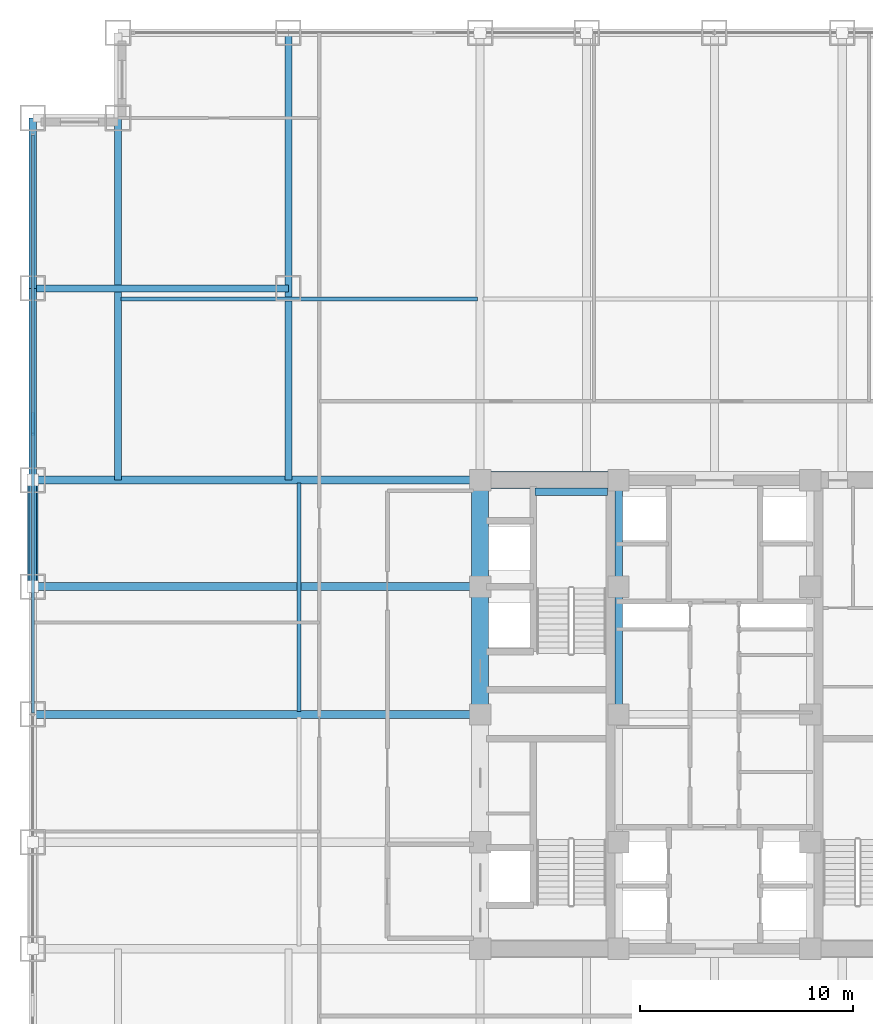
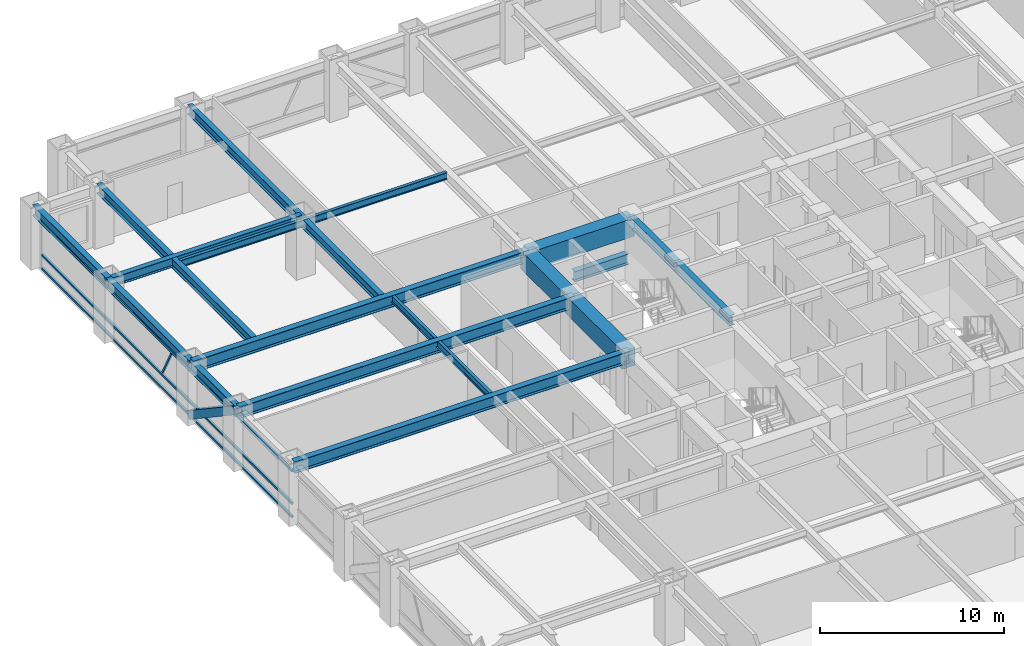
# One storey, part 9 of 28: 17 beams, 5 members, 1 element without a shape of its own.
"""IFC4 building model written with IfcOpenShell, lengths in metres."""

import ifcopenshell
import ifcopenshell.guid

model = None  # the IFC model being written
_history = None  # IfcOwnerHistory: only IFC2X3 demands one
_inside = {}  # id of a spatial element -> (the spatial element, [elements in it])
_under = {}  # id of a project, library or spatial element -> (it, [spatial elements below it])
_declared = {}  # id of a project -> (the project, [libraries it declares])
_typed = {}  # id of a type object -> (the type object, [elements of that type])
_made_of = {}  # id of a material, layer set ... -> (it, [elements and type objects made of it])


def new_model(schema):
    """Start an empty IFC model of exactly this schema.

    Asked for "IFC4X3", IfcOpenShell would pick the latest addendum, in which some entities
    have other attributes; the version numbers below select the first issue.
    IFC2X3 requires an IfcOwnerHistory on every rooted entity: one is made here for all.
    """
    global model, _history
    if schema == "IFC4X3":
        model = ifcopenshell.file(schema_version=(4, 3, 0, 0))
    else:
        model = ifcopenshell.file(schema=schema)
    _inside.clear()
    _under.clear()
    _declared.clear()
    _typed.clear()
    _made_of.clear()
    _history = None
    if model.schema == "IFC2X3":
        org = make("IfcOrganization", Name="unknown")
        user = make(
            "IfcPersonAndOrganization",
            ThePerson=make("IfcPerson", FamilyName="unknown"),
            TheOrganization=org,
        )
        app = make(
            "IfcApplication",
            ApplicationDeveloper=org,
            Version="unknown",
            ApplicationFullName="unknown",
            ApplicationIdentifier="unknown",
        )
        _history = make(
            "IfcOwnerHistory",
            OwningUser=user,
            OwningApplication=app,
            ChangeAction="ADDED",
            CreationDate=0,
        )
    return model


def make(cls, **values):
    """One entity of the class cls with the attributes given. An attribute that is None is left unset."""
    return model.create_entity(
        cls, **{name: value for name, value in values.items() if value is not None}
    )


def rooted(cls, **values):
    """An entity with a GlobalId (a new one), such as an element, a storey or a relation."""
    return make(cls, GlobalId=ifcopenshell.guid.new(), OwnerHistory=_history, **values)


def si_unit(unit_type, name, prefix=None):
    """IfcSIUnit, for example si_unit("LENGTHUNIT", "METRE", prefix="MILLI")."""
    return make("IfcSIUnit", UnitType=unit_type, Prefix=prefix, Name=name)


def assignment(units):
    """IfcUnitAssignment: the units of a project."""
    return None if units is None else make("IfcUnitAssignment", Units=units)


def point(xyz):
    """IfcCartesianPoint."""
    return None if xyz is None else make("IfcCartesianPoint", Coordinates=xyz)


def direction(xyz):
    """IfcDirection."""
    return None if xyz is None else make("IfcDirection", DirectionRatios=xyz)


def frame(location, z_axis=None, x_axis=None):
    """IfcAxis2Placement3D, a coordinate frame: its origin and axes. An axis left out is left unset."""
    return make(
        "IfcAxis2Placement3D",
        Location=point(location),
        Axis=direction(z_axis),
        RefDirection=direction(x_axis),
    )


def frame_2d(location, x_axis=None):
    """IfcAxis2Placement2D, a coordinate frame in the plane: its origin and x axis."""
    return make(
        "IfcAxis2Placement2D", Location=point(location), RefDirection=direction(x_axis)
    )


def origin():
    """The frame at (0, 0, 0) with its axes left unset."""
    return frame((0.0, 0.0, 0.0))


def origin_2d():
    """The frame at (0, 0) in the plane with its x axis left unset."""
    return frame_2d((0.0, 0.0))


def place(relative_to, where):
    """IfcLocalPlacement: puts the frame where relative to a parent placement (None: the world)."""
    return make(
        "IfcLocalPlacement", PlacementRelTo=relative_to, RelativePlacement=where
    )


def context(
    kind, dimensions, precision=None, world=None, true_north=None, identifier=None
):
    """IfcGeometricRepresentationContext, for example the 3D "Model" context."""
    return make(
        "IfcGeometricRepresentationContext",
        ContextIdentifier=identifier,
        ContextType=kind,
        CoordinateSpaceDimension=dimensions,
        Precision=precision,
        WorldCoordinateSystem=world,
        TrueNorth=true_north,
    )


def subcontext(parent, identifier, kind, view, scale=None):
    """IfcGeometricRepresentationSubContext, for example "Body" below "Model"."""
    return make(
        "IfcGeometricRepresentationSubContext",
        ContextIdentifier=identifier,
        ContextType=kind,
        ParentContext=parent,
        TargetScale=scale,
        TargetView=view,
    )


def project(units=None, contexts=None):
    """IfcProject with its units and contexts."""
    return rooted(
        "IfcProject",
        Name="project",
        RepresentationContexts=contexts,
        UnitsInContext=assignment(units),
    )


def spatial(cls, under=None, at=None, **own):
    """A site, building, storey or space (cls), placed at a placement, below another one or the project."""
    s = rooted(cls, ObjectPlacement=at, **own)
    if under is not None:
        _under.setdefault(under.id(), (under, []))[1].append(s)
    return s


def profile(cls, at=None, kind="AREA", **sizes):
    """A parametric profile (cls). Its sizes go by their IFC names, for example OverallWidth=200.0."""
    return make(cls, ProfileType=kind, Position=at, **sizes)


def rectangle(**sizes):
    """IfcRectangleProfileDef."""
    return profile("IfcRectangleProfileDef", **sizes)


def hollow_rectangle(**sizes):
    """IfcRectangleHollowProfileDef."""
    return profile("IfcRectangleHollowProfileDef", **sizes)


def i_section(**sizes):
    """IfcIShapeProfileDef."""
    return profile("IfcIShapeProfileDef", **sizes)


def extrude(swept, where, along, depth):
    """IfcExtrudedAreaSolid: the profile swept, set in the frame where, extruded along a direction by depth."""
    return make(
        "IfcExtrudedAreaSolid",
        SweptArea=swept,
        Position=where,
        ExtrudedDirection=direction(along),
        Depth=depth,
    )


def shape(context_of_items, identifier, shape_type, items):
    """IfcShapeRepresentation: the items that make up one representation, for example the "Body"."""
    return make(
        "IfcShapeRepresentation",
        ContextOfItems=context_of_items,
        RepresentationIdentifier=identifier,
        RepresentationType=shape_type,
        Items=items,
    )


def source(mapping_origin, context_of_items, identifier, shape_type, items):
    """IfcRepresentationMap: a shape defined once, which mapped items show again and again."""
    return make(
        "IfcRepresentationMap",
        MappingOrigin=mapping_origin,
        MappedRepresentation=shape(context_of_items, identifier, shape_type, items),
    )


def transform(
    local_origin,
    x_axis=None,
    y_axis=None,
    z_axis=None,
    scale=None,
    scale2=None,
    scale3=None,
    uniform=True,
):
    """IfcCartesianTransformationOperator3D, or its non-uniform kind. x_axis, y_axis, z_axis: its Axis1, 2, 3."""
    if uniform:
        return make(
            "IfcCartesianTransformationOperator3D",
            Axis1=direction(x_axis),
            Axis2=direction(y_axis),
            LocalOrigin=point(local_origin),
            Scale=scale,
            Axis3=direction(z_axis),
        )
    return make(
        "IfcCartesianTransformationOperator3DnonUniform",
        Axis1=direction(x_axis),
        Axis2=direction(y_axis),
        LocalOrigin=point(local_origin),
        Scale=scale,
        Axis3=direction(z_axis),
        Scale2=scale2,
        Scale3=scale3,
    )


def mapped(mapping_source, mapping_target):
    """IfcMappedItem: shows the shape of a source again, moved by a transform."""
    return make(
        "IfcMappedItem", MappingSource=mapping_source, MappingTarget=mapping_target
    )


def material(Name=None, Category=None):
    """IfcMaterial."""
    return make("IfcMaterial", Name=Name, Category=Category)


def material_profile(
    of_material, cross_section, Name=None, Category=None, Priority=None
):
    """IfcMaterialProfile: a cross section and its material."""
    return make(
        "IfcMaterialProfile",
        Name=Name,
        Material=of_material,
        Profile=cross_section,
        Priority=Priority,
        Category=Category,
    )


def profile_set(profiles, Name=None, composite=None):
    """IfcMaterialProfileSet."""
    return make(
        "IfcMaterialProfileSet",
        Name=Name,
        MaterialProfiles=profiles,
        CompositeProfile=composite,
    )


def made_of(thing, what):
    """Note that an element or type object is made of a material, layer set ...; save() writes the relation."""
    if what is not None:
        _made_of.setdefault(what.id(), (what, []))[1].append(thing)
    return thing


def type_object(cls, material=None, **own):
    """A type object (cls), such as IfcWallType, which elements share."""
    return made_of(rooted(cls, **own), material)


def element(
    cls,
    number,
    at=None,
    inside=None,
    cuts=None,
    type_object=None,
    material=None,
    context=None,
    identifier="Body",
    shape_type=None,
    held_by="IfcProductDefinitionShape",
    body=None,
    shapes=None,
    **own,
):
    """One element of the class cls, such as IfcWall. Its Tag is "e" and its number.

    at: its placement. inside: the storey or other place that contains it. cuts: it is an
    opening in that element (IfcRelVoidsElement). A single representation is given by context,
    identifier, shape_type and body (its items); several are given by shapes. held_by: the class
    of the entity that holds the representations. save() writes the other relations.
    """
    e = rooted(cls, Tag="e%d" % number, ObjectPlacement=at, **own)
    if body is not None:
        shapes = [shape(context, identifier, shape_type, body)]
    if shapes is not None:
        e.Representation = make(held_by, Representations=shapes)
    if inside is not None:
        _inside.setdefault(inside.id(), (inside, []))[1].append(e)
    if cuts is not None:
        rooted(
            "IfcRelVoidsElement", RelatingBuildingElement=cuts, RelatedOpeningElement=e
        )
    if type_object is not None:
        _typed.setdefault(type_object.id(), (type_object, []))[1].append(e)
    return made_of(e, material)


def aggregate(whole, parts):
    """IfcRelAggregates: a whole, such as a stair, and the parts it consists of."""
    return rooted("IfcRelAggregates", RelatingObject=whole, RelatedObjects=parts)


def save(model, path):
    """Write the relations noted so far, then the file.

    IfcRelAggregates (storeys below a building ...), IfcRelContainedInSpatialStructure (elements
    in a storey), IfcRelDefinesByType, IfcRelAssociatesMaterial and IfcRelDeclares: one each for
    every whole, place, type object, material and project.
    """
    for whole, parts in _under.values():
        aggregate(whole, parts)
    for where, things in _inside.values():
        rooted(
            "IfcRelContainedInSpatialStructure",
            RelatedElements=things,
            RelatingStructure=where,
        )
    for kind, things in _typed.values():
        rooted("IfcRelDefinesByType", RelatedObjects=things, RelatingType=kind)
    for what, things in _made_of.values():
        rooted("IfcRelAssociatesMaterial", RelatedObjects=things, RelatingMaterial=what)
    for by, libraries in _declared.values():
        rooted("IfcRelDeclares", RelatingContext=by, RelatedDefinitions=libraries)
    model.write(path)


model = new_model("IFC4")

# Units and contexts
model_context = context("Model", 3, precision=1e-05, world=origin(), true_north=direction((0.0, 1.0)))
body_context = subcontext(model_context, "Body", "Model", "MODEL_VIEW")
ifc_project = project(units=[si_unit("LENGTHUNIT", "METRE"), si_unit("AREAUNIT", "SQUARE_METRE"), si_unit("VOLUMEUNIT", "CUBIC_METRE"), si_unit("PLANEANGLEUNIT", "RADIAN"), si_unit("MASSUNIT", "GRAM", prefix="KILO")], contexts=[model_context])

# Site, building, storey
site_placement = place(None, origin())
site = spatial("IfcSite", under=ifc_project, at=site_placement, CompositionType="ELEMENT")
building_placement = place(site_placement, origin())
building = spatial("IfcBuilding", under=site, at=building_placement, Name="Khorayat Bourse Tower", CompositionType="ELEMENT")
storey_placement = place(building_placement, frame((0.0, 0.0, 116.0)))
storey = spatial("IfcBuildingStorey", under=building, at=storey_placement, Name="L26", CompositionType="ELEMENT", Elevation=116.0)

# Beams
ifc_material_1 = material(Name="Concrete C72/90", Category="concrete")
ifc_material_profile_1 = material_profile(ifc_material_1, rectangle(XDim=0.800048828125, YDim=1.199951171875, at=origin_2d()), Name="RC 800x1200")
ifc_profile_set_1 = profile_set([ifc_material_profile_1], Name="Concrete C72/90")
beam_type_1 = type_object("IfcBeamType", Name="BM-COUP-1200", PredefinedType="BEAM", material=ifc_profile_set_1)
shared_shape_1 = source(origin(), body_context, "Body", "SweptSolid", [
    extrude(rectangle(XDim=0.800048828125, YDim=1.199951171875, at=origin_2d()), origin(), (0.0, 0.0, 1.0), 5.0),
])
beam_1_placement = place(storey_placement, frame((-11.0, 6.0, 3.239990234375), z_axis=(0.0, 1.0, 0.0), x_axis=(-1.0, 0.0, 0.0)))
element("IfcBeam", 1, at=beam_1_placement, inside=storey, type_object=beam_type_1, Name="L26 BM-COUP-1200 BM-L26-CRX-04", PredefinedType="BEAM", context=body_context, shape_type="MappedRepresentation", body=[
    mapped(shared_shape_1, transform((0.0, 0.0, 0.0), scale=1.0)),
])
shared_shape_2 = source(origin(), body_context, "Body", "SweptSolid", [
    extrude(rectangle(XDim=0.800048828125, YDim=1.199951171875, at=origin_2d()), origin(), (0.0, 0.0, 1.0), 6.0),
])
beam_2_placement = place(storey_placement, frame((-11.0, 0.0, 3.239990234375), z_axis=(0.0, 1.0, 0.0), x_axis=(-1.0, 0.0, 0.0)))
element("IfcBeam", 2, at=beam_2_placement, inside=storey, type_object=beam_type_1, Name="L26 BM-COUP-1200 BM-L26-CRX-03", PredefinedType="BEAM", context=body_context, shape_type="MappedRepresentation", body=[
    mapped(shared_shape_2, transform((0.0, 0.0, 0.0), scale=1.0)),
])
ifc_material_2 = material(Name="Steel ASTM A992 Grade 50", Category="steel")
ifc_material_profile_2 = material_profile(ifc_material_2, i_section(OverallWidth=0.35498046875, OverallDepth=0.695068359375, WebThickness=0.015380859375, FlangeThickness=0.02490234375, FilletRadius=0.01806640625, at=origin_2d()), Name="W690X217")
ifc_profile_set_2 = profile_set([ifc_material_profile_2], Name="Steel ASTM A992 Grade 50")
beam_type_2 = type_object("IfcBeamType", Name="BM-GIRD-690", PredefinedType="BEAM", material=ifc_profile_set_2)
shared_shape_3 = source(origin(), body_context, "Body", "SweptSolid", [
    extrude(i_section(OverallWidth=0.35498046875, OverallDepth=0.695068359375, WebThickness=0.015380859375, FlangeThickness=0.02490234375, FilletRadius=0.01806640625, at=origin_2d()), origin(), (0.0, 0.0, 1.0), 5.0),
])
beam_3_placement = place(storey_placement, frame((-4.5, 6.0, 3.492431640625), z_axis=(0.0, 1.0, 0.0), x_axis=(-1.0, 0.0, 0.0)))
element("IfcBeam", 3, at=beam_3_placement, inside=storey, type_object=beam_type_2, Name="L26 BM-GIRD-690 BM-L26-CRX-08", PredefinedType="BEAM", context=body_context, shape_type="MappedRepresentation", body=[
    mapped(shared_shape_3, transform((0.0, 0.0, 0.0), scale=1.0)),
])
shared_shape_4 = source(origin(), body_context, "Body", "SweptSolid", [
    extrude(i_section(OverallWidth=0.35498046875, OverallDepth=0.695068359375, WebThickness=0.015380859375, FlangeThickness=0.02490234375, FilletRadius=0.01806640625, at=origin_2d()), origin(), (0.0, 0.0, 1.0), 6.0),
])
beam_4_placement = place(storey_placement, frame((-4.5, 0.0, 3.492431640625), z_axis=(0.0, 1.0, 0.0), x_axis=(-1.0, 0.0, 0.0)))
element("IfcBeam", 4, at=beam_4_placement, inside=storey, type_object=beam_type_2, Name="L26 BM-GIRD-690 BM-L26-CRX-07", PredefinedType="BEAM", context=body_context, shape_type="MappedRepresentation", body=[
    mapped(shared_shape_4, transform((0.0, 0.0, 0.0), scale=1.0)),
])
shared_shape_5 = source(origin(), body_context, "Body", "SweptSolid", [
    extrude(rectangle(XDim=0.800048828125, YDim=1.199951171875, at=origin_2d()), origin(), (0.0, 0.0, 1.0), 6.5),
])
beam_5_placement = place(storey_placement, frame((-11.0, 11.0, 3.239990234375), z_axis=(1.0, 0.0, 0.0), x_axis=(0.0, 1.0, 0.0)))
element("IfcBeam", 5, at=beam_5_placement, inside=storey, type_object=beam_type_1, Name="L26 BM-COUP-1200 BM-L26-CRY-20", PredefinedType="BEAM", context=body_context, shape_type="MappedRepresentation", body=[
    mapped(shared_shape_5, transform((0.0, 0.0, 0.0), scale=1.0)),
])
shared_shape_6 = source(origin(), body_context, "Body", "SweptSolid", [
    extrude(i_section(OverallWidth=0.35498046875, OverallDepth=0.695068359375, WebThickness=0.015380859375, FlangeThickness=0.02490234375, FilletRadius=0.01806640625, at=origin_2d()), origin(), (0.0, 0.0, 1.0), 3.39990234375),
])
beam_6_placement = place(storey_placement, frame((-8.419921875, 10.449951171875, 1.50244140625), z_axis=(1.0, 0.0, 0.0), x_axis=(0.0, 1.0, 0.0)))
element("IfcBeam", 6, at=beam_6_placement, inside=storey, type_object=beam_type_2, Name="L26 BM-GIRD-690 BM-L26-ST2L", PredefinedType="BEAM", context=body_context, shape_type="MappedRepresentation", body=[
    mapped(shared_shape_6, transform((0.0, 0.0, 0.0), scale=1.0)),
])
ifc_material_profile_3 = material_profile(ifc_material_2, i_section(OverallWidth=0.35498046875, OverallDepth=0.695068359375, WebThickness=0.015380859375, FlangeThickness=0.02490234375, FilletRadius=0.01806640625, at=origin_2d()), Name="W690X217")
ifc_profile_set_3 = profile_set([ifc_material_profile_3], Name="Steel ASTM A992 Grade 50")
beam_type_3 = type_object("IfcBeamType", Name="BM-SPAN-690", PredefinedType="SPANDREL", material=ifc_profile_set_3)
shared_shape_7 = source(origin(), body_context, "Body", "SweptSolid", [
    extrude(i_section(OverallWidth=0.35498046875, OverallDepth=0.695068359375, WebThickness=0.015380859375, FlangeThickness=0.02490234375, FilletRadius=0.01806640625, at=origin_2d()), origin(), (0.0, 0.0, 1.0), 9.0),
])
beam_7_placement = place(storey_placement, frame((-32.0, 11.0, 3.492431640625), z_axis=(0.0, 1.0, 0.0), x_axis=(-1.0, 0.0, 0.0)))
element("IfcBeam", 7, at=beam_7_placement, inside=storey, type_object=beam_type_3, Name="L26 BM-SPAN-690 BM-L26-SPN-055", PredefinedType="SPANDREL", context=body_context, shape_type="MappedRepresentation", body=[
    mapped(shared_shape_7, transform((0.0, 0.0, 0.0), scale=1.0)),
])
shared_shape_8 = source(origin(), body_context, "Body", "SweptSolid", [
    extrude(i_section(OverallWidth=0.35498046875, OverallDepth=0.695068359375, WebThickness=0.015380859375, FlangeThickness=0.02490234375, FilletRadius=0.01806640625, at=origin_2d()), origin(), (0.0, 0.0, 1.0), 5.0),
])
beam_8_placement = place(storey_placement, frame((-32.0, 6.0, 3.492431640625), z_axis=(0.0, 1.0, 0.0), x_axis=(-1.0, 0.0, 0.0)))
element("IfcBeam", 8, at=beam_8_placement, inside=storey, type_object=beam_type_3, Name="L26 BM-SPAN-690 BM-L26-SPN-056", PredefinedType="SPANDREL", context=body_context, shape_type="MappedRepresentation", body=[
    mapped(shared_shape_8, transform((0.0, 0.0, 0.0), scale=1.0)),
])
ifc_material_profile_4 = material_profile(ifc_material_2, i_section(OverallWidth=0.324951171875, OverallDepth=0.615966796875, WebThickness=0.013916015625, FlangeThickness=0.021484375, FilletRadius=0.01611328125, at=origin_2d()), Name="W610X174")
ifc_profile_set_4 = profile_set([ifc_material_profile_4], Name="Steel ASTM A992 Grade 50")
beam_type_4 = type_object("IfcBeamType", Name="BM-GIRD-610", PredefinedType="BEAM", material=ifc_profile_set_4)
shared_shape_9 = source(origin(), body_context, "Body", "SweptSolid", [
    extrude(i_section(OverallWidth=0.324951171875, OverallDepth=0.615966796875, WebThickness=0.013916015625, FlangeThickness=0.021484375, FilletRadius=0.01611328125, at=origin_2d()), origin(), (0.0, 0.0, 1.0), 21.0),
])
beam_9_placement = place(storey_placement, frame((-20.0, 11.0, 3.531982421875), z_axis=(0.0, 1.0, 0.0), x_axis=(-1.0, 0.0, 0.0)))
element("IfcBeam", 9, at=beam_9_placement, inside=storey, type_object=beam_type_4, Name="L26 BM-GIRD-610 BM-L26-CNRY-085", PredefinedType="BEAM", context=body_context, shape_type="MappedRepresentation", body=[
    mapped(shared_shape_9, transform((0.0, 0.0, 0.0), scale=1.0)),
])
shared_shape_10 = source(origin(), body_context, "Body", "SweptSolid", [
    extrude(i_section(OverallWidth=0.324951171875, OverallDepth=0.615966796875, WebThickness=0.013916015625, FlangeThickness=0.021484375, FilletRadius=0.01611328125, at=origin_2d()), origin(), (0.0, 0.0, 1.0), 12.0),
])
beam_10_placement = place(storey_placement, frame((-32.0, 20.0, 3.531982421875), z_axis=(1.0, 0.0, 0.0), x_axis=(0.0, 1.0, 0.0)))
element("IfcBeam", 10, at=beam_10_placement, inside=storey, type_object=beam_type_4, Name="L26 BM-GIRD-610 BM-L26-CNRX-095", PredefinedType="BEAM", context=body_context, shape_type="MappedRepresentation", body=[
    mapped(shared_shape_10, transform((0.0, 0.0, 0.0), scale=1.0)),
])
ifc_material_profile_5 = material_profile(ifc_material_2, i_section(OverallWidth=0.194091796875, OverallDepth=0.468994140625, WebThickness=0.0126953125, FlangeThickness=0.0205078125, FilletRadius=0.012939453125, at=origin_2d()), Name="W460X106")
ifc_profile_set_5 = profile_set([ifc_material_profile_5], Name="Steel ASTM A992 Grade 50")
beam_type_5 = type_object("IfcBeamType", Name="BM-JOIST-460", PredefinedType="JOIST", material=ifc_profile_set_5)
shared_shape_11 = source(origin(), body_context, "Body", "SweptSolid", [
    extrude(i_section(OverallWidth=0.194091796875, OverallDepth=0.468994140625, WebThickness=0.0126953125, FlangeThickness=0.0205078125, FilletRadius=0.012939453125, at=origin_2d()), origin(), (0.0, 0.0, 1.0), 10.740234375),
])
beam_11_placement = place(storey_placement, frame((-19.5, 0.1298828125, 3.60546875), z_axis=(0.0, 1.0, 0.0), x_axis=(-1.0, 0.0, 0.0)))
element("IfcBeam", 11, at=beam_11_placement, inside=storey, type_object=beam_type_5, Name="L26 BM-JOIST-460 BM-L26-JSTY-103", PredefinedType="JOIST", context=body_context, shape_type="MappedRepresentation", body=[
    mapped(shared_shape_11, transform((0.0, 0.0, 0.0), scale=1.0)),
])
shared_shape_12 = source(origin(), body_context, "Body", "SweptSolid", [
    extrude(i_section(OverallWidth=0.35498046875, OverallDepth=0.695068359375, WebThickness=0.015380859375, FlangeThickness=0.02490234375, FilletRadius=0.01806640625, at=origin_2d()), origin(), (0.0, 0.0, 1.0), 8.0),
])
beam_12_placement = place(storey_placement, frame((-32.0, 20.0, 3.492431640625), z_axis=(0.0, 1.0, 0.0), x_axis=(-1.0, 0.0, 0.0)))
element("IfcBeam", 12, at=beam_12_placement, inside=storey, type_object=beam_type_3, Name="L26 BM-SPAN-690 BM-L26-SPN-054", PredefinedType="SPANDREL", context=body_context, shape_type="MappedRepresentation", body=[
    mapped(shared_shape_12, transform((0.0, 0.0, 0.0), scale=1.0)),
])
ifc_material_profile_6 = material_profile(ifc_material_2, i_section(OverallWidth=0.381103515625, OverallDepth=0.77294921875, WebThickness=0.0166015625, FlangeThickness=0.027587890625, FilletRadius=0.01806640625, at=origin_2d()), Name="W760X257")
ifc_profile_set_6 = profile_set([ifc_material_profile_6], Name="Steel ASTM A992 Grade 50")
beam_type_6 = type_object("IfcBeamType", Name="BM-GIRD-760", PredefinedType="BEAM", material=ifc_profile_set_6)
shared_shape_13 = source(origin(), body_context, "Body", "SweptSolid", [
    extrude(i_section(OverallWidth=0.381103515625, OverallDepth=0.77294921875, WebThickness=0.0166015625, FlangeThickness=0.027587890625, FilletRadius=0.01806640625, at=origin_2d()), origin(), (0.0, 0.0, 1.0), 21.0),
])
for number, where, z_axis, x_axis, name in (
    (13, (-32.0, 0.0, 3.45361328125), (1.0, 0.0, 0.0), (0.0, 1.0, 0.0), "L26 BM-GIRD-760 BM-L26-RADX-079"),
    (14, (-32.0, 6.0, 3.45361328125), (1.0, 0.0, 0.0), (0.0, 1.0, 0.0), "L26 BM-GIRD-760 BM-L26-RADX-081"),
    (15, (-32.0, 11.0, 3.45361328125), (1.0, 0.0, 0.0), (0.0, 1.0, 0.0), "L26 BM-GIRD-760 BM-L26-RADX-083"),
):
    element("IfcBeam", number, at=place(storey_placement, frame(where, z_axis=z_axis, x_axis=x_axis)), inside=storey, type_object=beam_type_6, Name=name, PredefinedType="BEAM", context=body_context, shape_type="MappedRepresentation", body=[
        mapped(shared_shape_13, transform((0.0, 0.0, 0.0), scale=1.0)),
    ])
shared_shape_14 = source(origin(), body_context, "Body", "SweptSolid", [
    extrude(i_section(OverallWidth=0.324951171875, OverallDepth=0.615966796875, WebThickness=0.013916015625, FlangeThickness=0.021484375, FilletRadius=0.01611328125, at=origin_2d()), origin(), (0.0, 0.0, 1.0), 17.0),
])
beam_13_placement = place(storey_placement, frame((-28.0, 11.0, 3.531982421875), z_axis=(0.0, 1.0, 0.0), x_axis=(-1.0, 0.0, 0.0)))
element("IfcBeam", 16, at=beam_13_placement, inside=storey, type_object=beam_type_4, Name="L26 BM-GIRD-610 BM-L26-CNRY-089", PredefinedType="BEAM", context=body_context, shape_type="MappedRepresentation", body=[
    mapped(shared_shape_14, transform((0.0, 0.0, 0.0), scale=1.0)),
])
shared_shape_15 = source(origin(), body_context, "Body", "SweptSolid", [
    extrude(i_section(OverallWidth=0.194091796875, OverallDepth=0.468994140625, WebThickness=0.0126953125, FlangeThickness=0.0205078125, FilletRadius=0.012939453125, at=origin_2d()), origin(), (0.0, 0.0, 1.0), 16.740234375),
])
beam_14_placement = place(storey_placement, frame((-27.8701171875, 19.5, 3.60546875), z_axis=(1.0, 0.0, 0.0), x_axis=(0.0, 1.0, 0.0)))
element("IfcBeam", 17, at=beam_14_placement, inside=storey, type_object=beam_type_5, Name="L26 BM-JOIST-460 BM-L26-JSTX-099", PredefinedType="JOIST", context=body_context, shape_type="MappedRepresentation", body=[
    mapped(shared_shape_15, transform((0.0, 0.0, 0.0), scale=1.0)),
])

# Member
ifc_material_3 = material(Name="Steel EN 10025-4 S460M", Category="steel")
ifc_material_profile_7 = material_profile(ifc_material_3, hollow_rectangle(XDim=0.5, YDim=0.5, WallThickness=0.028076171875, at=origin_2d()), Name="HSS 500x500x28")
ifc_profile_set_7 = profile_set([ifc_material_profile_7], Name="Steel EN 10025-4 S460M")
member_type_1 = type_object("IfcMemberType", Name="MBR-TUBE-500", PredefinedType="BRACE", material=ifc_profile_set_7)
shared_shape_16 = source(origin(), body_context, "Body", "SweptSolid", [
    extrude(hollow_rectangle(XDim=0.5, YDim=0.5, WallThickness=0.028076171875, at=origin_2d()), origin(), (0.0, 0.0, 1.0), 6.012939453125),
])
member_1_placement = place(storey_placement, frame((-32.0, 6.0, 3.590087890625), z_axis=(0.0, 0.831531473026, -0.555477640745), x_axis=(-1.0, 0.0, 0.0)))
element("IfcMember", 18, at=member_1_placement, inside=storey, type_object=member_type_1, Name="L26 Perimeter Tube Brace 06", PredefinedType="BRACE", context=body_context, shape_type="MappedRepresentation", body=[
    mapped(shared_shape_16, transform((0.0, 0.0, 0.0), scale=1.0)),
])

# Curtain wall, members
ifc_material_4 = material(Name="Aluminium EN AW-6063 T6", Category="aluminium")
curtain_wall_type = type_object("IfcCurtainWallType", Name="CW-SYS-02", PredefinedType="NOTDEFINED", material=ifc_material_4)
curtain_wall_placement = place(storey_placement, origin())
curtain_wall = element("IfcCurtainWall", 19, at=curtain_wall_placement, inside=storey, type_object=curtain_wall_type, Name="L26 Curtain Wall CW-L26-W1", PredefinedType="NOTDEFINED")
ifc_material_profile_8 = material_profile(ifc_material_4, hollow_rectangle(XDim=0.139892578125, YDim=0.139892578125, WallThickness=0.006103515625, at=origin_2d()), Name="ALU 140x140x6")
ifc_profile_set_8 = profile_set([ifc_material_profile_8], Name="Aluminium EN AW-6063 T6")
member_type_2 = type_object("IfcMemberType", Name="CWT-HORZ-140", PredefinedType="USERDEFINED", material=ifc_profile_set_8)
shared_shape_17 = source(origin(), body_context, "Body", "SweptSolid", [
    extrude(hollow_rectangle(XDim=0.139892578125, YDim=0.139892578125, WallThickness=0.006103515625, at=origin_2d()), origin(), (0.0, 0.0, 1.0), 27.139892578125),
])
member_2_placement = place(storey_placement, frame((-32.0, 0.070068359375, 0.070068359375), z_axis=(0.0, 1.0, 0.0), x_axis=(-1.0, 0.0, 0.0)))
member_2 = element("IfcMember", 20, at=member_2_placement, type_object=member_type_2, Name="CW-L26-W1 Horizontal Transom 2-1", ObjectType="TRANSOM", PredefinedType="USERDEFINED", context=body_context, shape_type="MappedRepresentation", body=[
    mapped(shared_shape_17, transform((0.0, 0.0, 0.0), scale=1.0)),
])
member_3_placement = place(storey_placement, frame((-32.0, 0.070068359375, 0.949951171875), z_axis=(0.0, 1.0, 0.0), x_axis=(-1.0, 0.0, 0.0)))
member_3 = element("IfcMember", 21, at=member_3_placement, type_object=member_type_2, Name="CW-L26-W1 Horizontal Transom 2-2", ObjectType="TRANSOM", PredefinedType="USERDEFINED", context=body_context, shape_type="MappedRepresentation", body=[
    mapped(shared_shape_17, transform((0.0, 0.0, 0.0), scale=1.0)),
])
member_4_placement = place(storey_placement, frame((-32.0, 0.070068359375, 3.1201171875), z_axis=(0.0, 1.0, 0.0), x_axis=(-1.0, 0.0, 0.0)))
member_4 = element("IfcMember", 22, at=member_4_placement, type_object=member_type_2, Name="CW-L26-W1 Horizontal Transom 2-3", ObjectType="TRANSOM", PredefinedType="USERDEFINED", context=body_context, shape_type="MappedRepresentation", body=[
    mapped(shared_shape_17, transform((0.0, 0.0, 0.0), scale=1.0)),
])
ifc_material_profile_9 = material_profile(ifc_material_4, hollow_rectangle(XDim=0.1201171875, YDim=0.1201171875, WallThickness=0.0048828125, at=origin_2d()), Name="ALU 120x120x5")
ifc_profile_set_9 = profile_set([ifc_material_profile_9], Name="Aluminium EN AW-6063 T6")
member_type_3 = type_object("IfcMemberType", Name="CWM-DIAG-120", PredefinedType="MULLION", material=ifc_profile_set_9)
shared_shape_18 = source(origin(), body_context, "Body", "SweptSolid", [
    extrude(hollow_rectangle(XDim=0.1201171875, YDim=0.1201171875, WallThickness=0.0048828125, at=origin_2d()), origin(), (0.0, 0.0, 1.0), 2.113037109375),
])
member_5_placement = place(storey_placement, frame((-32.0, 14.132080078125, 1.10009765625), z_axis=(0.0, -0.465741670874, 0.884920728659), x_axis=(1.0, 0.0, 0.0)))
member_5 = element("IfcMember", 23, at=member_5_placement, type_object=member_type_3, Name="CW-L26-W1 Faceted Diagonal Mullion 2", PredefinedType="MULLION", context=body_context, shape_type="MappedRepresentation", body=[
    mapped(shared_shape_18, transform((0.0, 0.0, 0.0), scale=1.0)),
])
aggregate(curtain_wall, [member_2, member_3, member_4, member_5])

save(model, "model.ifc")
